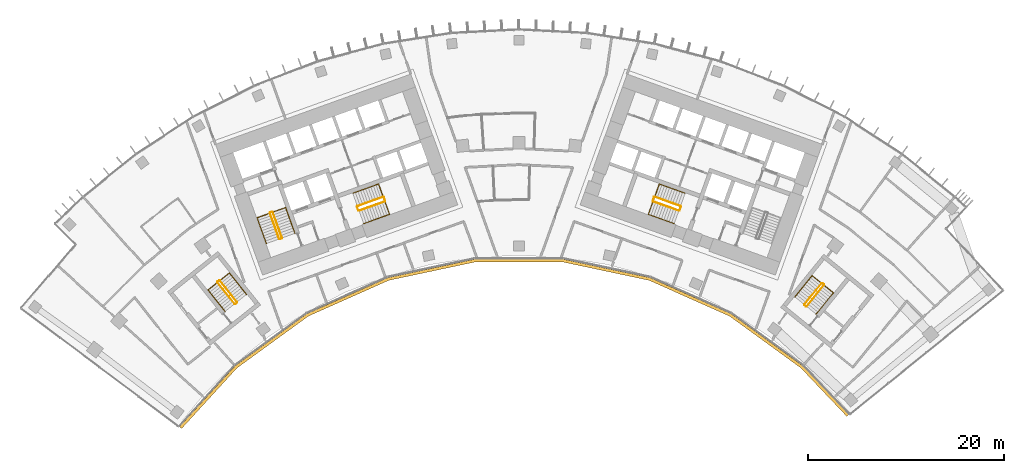
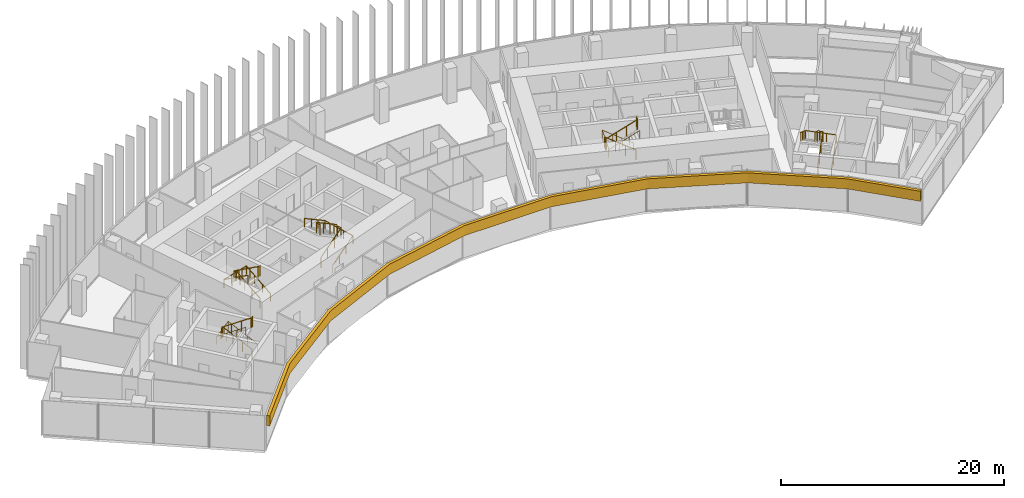
# One storey, part 22 of 23: 15 railings, 1 covering.
"""IFC4 building model written with IfcOpenShell, lengths in metres."""

from ifc_helpers import new_model, si_unit, direction, frame, origin, origin_2d, place, context, subcontext, project, spatial, polyline, circle, outline, extrude, material, layer, layer_set, type_object, element, save


model = new_model("IFC4")

# Units and contexts
model_context = context("Model", 3, precision=1e-05, world=origin(), true_north=direction((0.0, 1.0)))
body_context = subcontext(model_context, "Body", "Model", "MODEL_VIEW")
ifc_project = project(units=[si_unit("LENGTHUNIT", "METRE"), si_unit("AREAUNIT", "SQUARE_METRE"), si_unit("VOLUMEUNIT", "CUBIC_METRE"), si_unit("PLANEANGLEUNIT", "RADIAN"), si_unit("MASSUNIT", "GRAM", prefix="KILO")], contexts=[model_context])

# Site, building, storey
site_placement = place(None, origin())
site = spatial("IfcSite", under=ifc_project, at=site_placement, CompositionType="ELEMENT")
building_placement = place(site_placement, origin())
building = spatial("IfcBuilding", under=site, at=building_placement, Name="Stone Belt Terrace Tower", CompositionType="ELEMENT")
storey_placement = place(building_placement, frame((0.0, 0.0, 166.800048828125)))
storey = spatial("IfcBuildingStorey", under=building, at=storey_placement, Name="L40", CompositionType="ELEMENT", Elevation=166.800048828125)

# Railings
ifc_material_1 = material(Name="Structural steel C345", Category="steel")
railing_type_1 = type_object("IfcRailingType", Name="Stair guard 1100", PredefinedType="GUARDRAIL", material=ifc_material_1)
railing_1_placement = place(storey_placement, frame((-24.2119140625, 45.276123046875, 0.172607421875)))
element("IfcRailing", 1, at=railing_1_placement, inside=storey, type_object=railing_type_1, Name="L40 ST1A stair guard 1", PredefinedType="GUARDRAIL", context=body_context, shape_type="SweptSolid", body=[
    extrude(circle(Radius=0.02392578125, at=origin_2d()), frame((0.0, 0.0, 1.076171875), z_axis=(-0.288228637646, 0.800791768495, 0.525030280985), x_axis=(-0.940908529223, -0.338660803216, 0.0)), (0.0, 0.0, 1.0), 3.289794921875),
    extrude(circle(Radius=0.02392578125, at=origin_2d()), frame((-0.9482421875, 2.634521484375, 2.80322265625), z_axis=(-0.905209821074, 0.424964916, 0.0), x_axis=(-0.424964916, -0.905209821074, 0.0)), (0.0, 0.0, 1.0), 0.070556640625),
    extrude(circle(Radius=0.02392578125, at=origin_2d()), frame((-1.01220703125, 2.66455078125, 2.80322265625), z_axis=(-0.941105063269, -0.338114270461, 0.0), x_axis=(0.338114270461, -0.941105063269, 0.0)), (0.0, 0.0, 1.0), 0.199951171875),
    extrude(circle(Radius=0.02099609375, at=origin_2d()), origin(), (0.0, 0.0, 1.0), 1.052001953125),
    extrude(circle(Radius=0.02099609375, at=origin_2d()), frame((-0.316162109375, 0.878173828125, 0.57568359375)), (0.0, 0.0, 1.0), 1.052001953125),
    extrude(circle(Radius=0.02099609375, at=origin_2d()), frame((-0.632080078125, 1.75634765625, 1.151611328125)), (0.0, 0.0, 1.0), 1.052001953125),
    extrude(circle(Radius=0.02099609375, at=origin_2d()), frame((-0.9482421875, 2.634521484375, 1.727294921875)), (0.0, 0.0, 1.0), 1.052001953125),
    extrude(circle(Radius=0.02099609375, at=origin_2d()), frame((-1.01220703125, 2.66455078125, 1.727294921875)), (0.0, 0.0, 1.0), 1.052001953125),
    extrude(circle(Radius=0.02099609375, at=origin_2d()), frame((-1.200439453125, 2.596923828125, 1.727294921875)), (0.0, 0.0, 1.0), 1.052001953125),
])
railing_2_placement = place(storey_placement, frame((-25.4423828125, 47.80908203125, 2.07275390625)))
element("IfcRailing", 2, at=railing_2_placement, inside=storey, type_object=railing_type_1, Name="L40 ST1A stair guard 2", PredefinedType="GUARDRAIL", context=body_context, shape_type="SweptSolid", body=[
    extrude(circle(Radius=0.02392578125, at=origin_2d()), frame((0.0, 0.0, 1.076171875), z_axis=(0.288228637646, -0.800791768495, 0.525030280985), x_axis=(0.940908529223, 0.338660803216, 0.0)), (0.0, 0.0, 1.0), 3.289794921875),
    extrude(circle(Radius=0.02392578125, at=origin_2d()), frame((0.9482421875, -2.634521484375, 2.80322265625), z_axis=(0.903878284585, -0.427789722475, 0.0), x_axis=(0.427789722475, 0.903878284585, 0.0)), (0.0, 0.0, 1.0), 0.07080078125),
    extrude(circle(Radius=0.02392578125, at=origin_2d()), frame((1.01220703125, -2.664794921875, 2.80322265625), z_axis=(0.940575576748, 0.339584429008, 0.0), x_axis=(-0.339584429008, 0.940575576748, 0.0)), (0.0, 0.0, 1.0), 0.199951171875),
    extrude(circle(Radius=0.02099609375, at=origin_2d()), origin(), (0.0, 0.0, 1.0), 1.052001953125),
    extrude(circle(Radius=0.02099609375, at=origin_2d()), frame((0.316162109375, -0.878173828125, 0.57568359375)), (0.0, 0.0, 1.0), 1.052001953125),
    extrude(circle(Radius=0.02099609375, at=origin_2d()), frame((0.632080078125, -1.75634765625, 1.151611328125)), (0.0, 0.0, 1.0), 1.052001953125),
    extrude(circle(Radius=0.02099609375, at=origin_2d()), frame((0.9482421875, -2.634521484375, 1.727294921875)), (0.0, 0.0, 1.0), 1.052001953125),
    extrude(circle(Radius=0.02099609375, at=origin_2d()), frame((1.01220703125, -2.664794921875, 1.727294921875)), (0.0, 0.0, 1.0), 1.052001953125),
    extrude(circle(Radius=0.02099609375, at=origin_2d()), frame((1.2001953125, -2.596923828125, 1.727294921875)), (0.0, 0.0, 1.0), 1.052001953125),
])
railing_3_placement = place(storey_placement, frame((-16.33837890625, 48.056640625, 0.172607421875)))
element("IfcRailing", 3, at=railing_3_placement, inside=storey, type_object=railing_type_1, Name="L40 ST2A stair guard 1", PredefinedType="GUARDRAIL", context=body_context, shape_type="SweptSolid", body=[
    extrude(circle(Radius=0.02392578125, at=origin_2d()), frame((0.0, 0.0, 1.076171875), z_axis=(0.800808895155, 0.288160591223, 0.52504150989), x_axis=(-0.338583606334, 0.940936311087, 0.0)), (0.0, 0.0, 1.0), 3.289794921875),
    extrude(circle(Radius=0.02392578125, at=origin_2d()), frame((2.634521484375, 0.947998046875, 2.80322265625), z_axis=(0.427789722475, 0.903878284585, 0.0), x_axis=(-0.903878284585, 0.427789722475, 0.0)), (0.0, 0.0, 1.0), 0.07080078125),
    extrude(circle(Radius=0.02392578125, at=origin_2d()), frame((2.664794921875, 1.011962890625, 2.80322265625), z_axis=(-0.338654645739, 0.940910745459, 0.0), x_axis=(-0.940910745459, -0.338654645739, 0.0)), (0.0, 0.0, 1.0), 0.400146484375),
    extrude(circle(Radius=0.02099609375, at=origin_2d()), origin(), (0.0, 0.0, 1.0), 1.052001953125),
    extrude(circle(Radius=0.02099609375, at=origin_2d()), frame((0.878173828125, 0.31591796875, 0.57568359375)), (0.0, 0.0, 1.0), 1.052001953125),
    extrude(circle(Radius=0.02099609375, at=origin_2d()), frame((1.75634765625, 0.632080078125, 1.151611328125)), (0.0, 0.0, 1.0), 1.052001953125),
    extrude(circle(Radius=0.02099609375, at=origin_2d()), frame((2.634521484375, 0.947998046875, 1.727294921875)), (0.0, 0.0, 1.0), 1.052001953125),
    extrude(circle(Radius=0.02099609375, at=origin_2d()), frame((2.664794921875, 1.011962890625, 1.727294921875)), (0.0, 0.0, 1.0), 1.052001953125),
    extrude(circle(Radius=0.02099609375, at=origin_2d()), frame((2.529296875, 1.388427734375, 1.727294921875)), (0.0, 0.0, 1.0), 1.052001953125),
])
railing_4_placement = place(storey_placement, frame((-13.873046875, 49.47509765625, 2.07275390625)))
element("IfcRailing", 4, at=railing_4_placement, inside=storey, type_object=railing_type_1, Name="L40 ST2A stair guard 2", PredefinedType="GUARDRAIL", context=body_context, shape_type="SweptSolid", body=[
    extrude(circle(Radius=0.02392578125, at=origin_2d()), frame((0.0, 0.0, 1.076171875), z_axis=(-0.800808895155, -0.288160591223, 0.52504150989), x_axis=(0.338583606334, -0.940936311087, 0.0)), (0.0, 0.0, 1.0), 3.289794921875),
    extrude(circle(Radius=0.02392578125, at=origin_2d()), frame((-2.634521484375, -0.947998046875, 2.80322265625), z_axis=(-0.427789722475, -0.903878284585, 0.0), x_axis=(0.903878284585, -0.427789722475, 0.0)), (0.0, 0.0, 1.0), 0.07080078125),
    extrude(circle(Radius=0.02392578125, at=origin_2d()), frame((-2.664794921875, -1.011962890625, 2.80322265625), z_axis=(0.338654645739, -0.940910745459, 0.0), x_axis=(0.940910745459, 0.338654645739, 0.0)), (0.0, 0.0, 1.0), 0.400146484375),
    extrude(circle(Radius=0.02099609375, at=origin_2d()), origin(), (0.0, 0.0, 1.0), 1.052001953125),
    extrude(circle(Radius=0.02099609375, at=origin_2d()), frame((-0.878173828125, -0.31591796875, 0.57568359375)), (0.0, 0.0, 1.0), 1.052001953125),
    extrude(circle(Radius=0.02099609375, at=origin_2d()), frame((-1.75634765625, -0.632080078125, 1.151611328125)), (0.0, 0.0, 1.0), 1.052001953125),
    extrude(circle(Radius=0.02099609375, at=origin_2d()), frame((-2.634521484375, -0.947998046875, 1.727294921875)), (0.0, 0.0, 1.0), 1.052001953125),
    extrude(circle(Radius=0.02099609375, at=origin_2d()), frame((-2.664794921875, -1.011962890625, 1.727294921875)), (0.0, 0.0, 1.0), 1.052001953125),
    extrude(circle(Radius=0.02099609375, at=origin_2d()), frame((-2.529296875, -1.388427734375, 1.727294921875)), (0.0, 0.0, 1.0), 1.052001953125),
])
railing_5_placement = place(storey_placement, frame((16.507568359375, 48.527099609375, 0.172607421875)))
element("IfcRailing", 5, at=railing_5_placement, inside=storey, type_object=railing_type_1, Name="L40 ST2B stair guard 1", PredefinedType="GUARDRAIL", context=body_context, shape_type="SweptSolid", body=[
    extrude(circle(Radius=0.02392578125, at=origin_2d()), frame((0.0, 0.0, 1.076171875), z_axis=(-0.800808895155, 0.288160591223, 0.52504150989), x_axis=(-0.338583606334, -0.940936311087, 0.0)), (0.0, 0.0, 1.0), 3.289794921875),
    extrude(circle(Radius=0.02392578125, at=origin_2d()), frame((-2.634521484375, 0.947998046875, 2.80322265625), z_axis=(-0.905209821074, -0.424964916, 0.0), x_axis=(0.424964916, -0.905209821074, 0.0)), (0.0, 0.0, 1.0), 0.070556640625),
    extrude(circle(Radius=0.02392578125, at=origin_2d()), frame((-2.698486328125, 0.91796875, 2.80322265625), z_axis=(-0.338654645739, -0.940910745459, 0.0), x_axis=(0.940910745459, -0.338654645739, 0.0)), (0.0, 0.0, 1.0), 0.400146484375),
    extrude(circle(Radius=0.02099609375, at=origin_2d()), origin(), (0.0, 0.0, 1.0), 1.052001953125),
    extrude(circle(Radius=0.02099609375, at=origin_2d()), frame((-0.878173828125, 0.31591796875, 0.57568359375)), (0.0, 0.0, 1.0), 1.052001953125),
    extrude(circle(Radius=0.02099609375, at=origin_2d()), frame((-1.75634765625, 0.632080078125, 1.151611328125)), (0.0, 0.0, 1.0), 1.052001953125),
    extrude(circle(Radius=0.02099609375, at=origin_2d()), frame((-2.634521484375, 0.947998046875, 1.727294921875)), (0.0, 0.0, 1.0), 1.052001953125),
    extrude(circle(Radius=0.02099609375, at=origin_2d()), frame((-2.698486328125, 0.91796875, 1.727294921875)), (0.0, 0.0, 1.0), 1.052001953125),
    extrude(circle(Radius=0.02099609375, at=origin_2d()), frame((-2.833984375, 0.54150390625, 1.727294921875)), (0.0, 0.0, 1.0), 1.052001953125),
])
railing_6_placement = place(storey_placement, frame((13.703857421875, 49.004638671875, 2.07275390625)))
element("IfcRailing", 6, at=railing_6_placement, inside=storey, type_object=railing_type_1, Name="L40 ST2B stair guard 2", PredefinedType="GUARDRAIL", context=body_context, shape_type="SweptSolid", body=[
    extrude(circle(Radius=0.02392578125, at=origin_2d()), frame((0.0, 0.0, 1.076171875), z_axis=(0.800808895155, -0.288160591223, 0.52504150989), x_axis=(0.338583606334, 0.940936311087, 0.0)), (0.0, 0.0, 1.0), 3.289794921875),
    extrude(circle(Radius=0.02392578125, at=origin_2d()), frame((2.634521484375, -0.947998046875, 2.80322265625), z_axis=(0.905209821074, 0.424964916, 0.0), x_axis=(-0.424964916, 0.905209821074, 0.0)), (0.0, 0.0, 1.0), 0.070556640625),
    extrude(circle(Radius=0.02392578125, at=origin_2d()), frame((2.698486328125, -0.91796875, 2.80322265625), z_axis=(0.338654645739, 0.940910745459, 0.0), x_axis=(-0.940910745459, 0.338654645739, 0.0)), (0.0, 0.0, 1.0), 0.400146484375),
    extrude(circle(Radius=0.02099609375, at=origin_2d()), origin(), (0.0, 0.0, 1.0), 1.052001953125),
    extrude(circle(Radius=0.02099609375, at=origin_2d()), frame((0.878173828125, -0.31591796875, 0.57568359375)), (0.0, 0.0, 1.0), 1.052001953125),
    extrude(circle(Radius=0.02099609375, at=origin_2d()), frame((1.75634765625, -0.632080078125, 1.151611328125)), (0.0, 0.0, 1.0), 1.052001953125),
    extrude(circle(Radius=0.02099609375, at=origin_2d()), frame((2.634521484375, -0.947998046875, 1.727294921875)), (0.0, 0.0, 1.0), 1.052001953125),
    extrude(circle(Radius=0.02099609375, at=origin_2d()), frame((2.698486328125, -0.91796875, 1.727294921875)), (0.0, 0.0, 1.0), 1.052001953125),
    extrude(circle(Radius=0.02099609375, at=origin_2d()), frame((2.833984375, -0.54150390625, 1.727294921875)), (0.0, 0.0, 1.0), 1.052001953125),
])
railing_7_placement = place(storey_placement, frame((-28.814208984375, 38.734619140625, 0.172607421875)))
element("IfcRailing", 7, at=railing_7_placement, inside=storey, type_object=railing_type_1, Name="L40 ST3A stair guard 1", PredefinedType="GUARDRAIL", context=body_context, shape_type="SweptSolid", body=[
    extrude(circle(Radius=0.02392578125, at=origin_2d()), frame((0.0, 0.0, 1.076171875), z_axis=(-0.530306321799, 0.665665785969, 0.525037395288), x_axis=(-0.782143211408, -0.623098705543, 0.0)), (0.0, 0.0, 1.0), 3.289794921875),
    extrude(circle(Radius=0.02392578125, at=origin_2d()), frame((-1.74462890625, 2.18994140625, 2.80322265625), z_axis=(-0.993883734674, 0.110431526075, 0.0), x_axis=(-0.110431526075, -0.993883734674, 0.0)), (0.0, 0.0, 1.0), 0.07080078125),
    extrude(circle(Radius=0.02392578125, at=origin_2d()), frame((-1.81494140625, 2.19775390625, 2.80322265625), z_axis=(-0.782533463299, -0.622608527742, 0.0), x_axis=(0.622608527742, -0.782533463299, 0.0)), (0.0, 0.0, 1.0), 0.199951171875),
    extrude(circle(Radius=0.02099609375, at=origin_2d()), origin(), (0.0, 0.0, 1.0), 1.052001953125),
    extrude(circle(Radius=0.02099609375, at=origin_2d()), frame((-0.58154296875, 0.72998046875, 0.57568359375)), (0.0, 0.0, 1.0), 1.052001953125),
    extrude(circle(Radius=0.02099609375, at=origin_2d()), frame((-1.1630859375, 1.4599609375, 1.151611328125)), (0.0, 0.0, 1.0), 1.052001953125),
    extrude(circle(Radius=0.02099609375, at=origin_2d()), frame((-1.74462890625, 2.18994140625, 1.727294921875)), (0.0, 0.0, 1.0), 1.052001953125),
    extrude(circle(Radius=0.02099609375, at=origin_2d()), frame((-1.81494140625, 2.19775390625, 1.727294921875)), (0.0, 0.0, 1.0), 1.052001953125),
    extrude(circle(Radius=0.02099609375, at=origin_2d()), frame((-1.971435546875, 2.0732421875, 1.727294921875)), (0.0, 0.0, 1.0), 1.052001953125),
])
railing_8_placement = place(storey_placement, frame((-30.793701171875, 40.737548828125, 2.07275390625)))
element("IfcRailing", 8, at=railing_8_placement, inside=storey, type_object=railing_type_1, Name="L40 ST3A stair guard 2", PredefinedType="GUARDRAIL", context=body_context, shape_type="SweptSolid", body=[
    extrude(circle(Radius=0.02392578125, at=origin_2d()), frame((0.0, 0.0, 1.076171875), z_axis=(0.530359659125, -0.665639588968, 0.525016732659), x_axis=(0.782100716982, 0.62315204284, 0.0)), (0.0, 0.0, 1.0), 3.2900390625),
    extrude(circle(Radius=0.02392578125, at=origin_2d()), frame((1.744873046875, -2.18994140625, 2.80322265625), z_axis=(0.993499272973, -0.113838458361, 0.0), x_axis=(0.113838458361, 0.993499272973, 0.0)), (0.0, 0.0, 1.0), 0.07080078125),
    extrude(circle(Radius=0.02392578125, at=origin_2d()), frame((1.815185546875, -2.197998046875, 2.80322265625), z_axis=(0.781464082609, 0.623950228458, 0.0), x_axis=(-0.623950228458, 0.781464082609, 0.0)), (0.0, 0.0, 1.0), 0.199951171875),
    extrude(circle(Radius=0.02099609375, at=origin_2d()), origin(), (0.0, 0.0, 1.0), 1.052001953125),
    extrude(circle(Radius=0.02099609375, at=origin_2d()), frame((0.58154296875, -0.72998046875, 0.57568359375)), (0.0, 0.0, 1.0), 1.052001953125),
    extrude(circle(Radius=0.02099609375, at=origin_2d()), frame((1.163330078125, -1.4599609375, 1.151611328125)), (0.0, 0.0, 1.0), 1.052001953125),
    extrude(circle(Radius=0.02099609375, at=origin_2d()), frame((1.744873046875, -2.18994140625, 1.727294921875)), (0.0, 0.0, 1.0), 1.052001953125),
    extrude(circle(Radius=0.02099609375, at=origin_2d()), frame((1.815185546875, -2.197998046875, 1.727294921875)), (0.0, 0.0, 1.0), 1.052001953125),
    extrude(circle(Radius=0.02099609375, at=origin_2d()), frame((1.971435546875, -2.0732421875, 1.727294921875)), (0.0, 0.0, 1.0), 1.052001953125),
])
railing_9_placement = place(storey_placement, frame((29.39794921875, 38.281982421875, 0.172607421875)))
element("IfcRailing", 9, at=railing_9_placement, inside=storey, type_object=railing_type_1, Name="L40 ST3B stair guard 1", PredefinedType="GUARDRAIL", context=body_context, shape_type="SweptSolid", body=[
    extrude(circle(Radius=0.02392578125, at=origin_2d()), frame((0.0, 0.0, 1.076171875), z_axis=(0.536393061503, 0.660769759217, 0.525038864158), x_axis=(-0.776391310223, 0.630251166924, 0.0)), (0.0, 0.0, 1.0), 3.289794921875),
    extrude(circle(Radius=0.02392578125, at=origin_2d()), frame((1.7646484375, 2.173828125, 2.80322265625), z_axis=(-0.103251414163, 0.994655289773, 0.0), x_axis=(-0.994655289773, -0.103251414163, 0.0)), (0.0, 0.0, 1.0), 0.071044921875),
    extrude(circle(Radius=0.02392578125, at=origin_2d()), frame((1.75732421875, 2.244384765625, 2.80322265625), z_axis=(-0.776561986372, 0.630040856868, 0.0), x_axis=(-0.630040856868, -0.776561986372, 0.0)), (0.0, 0.0, 1.0), 0.199951171875),
    extrude(circle(Radius=0.02099609375, at=origin_2d()), origin(), (0.0, 0.0, 1.0), 1.052001953125),
    extrude(circle(Radius=0.02099609375, at=origin_2d()), frame((0.588134765625, 0.724609375, 0.57568359375)), (0.0, 0.0, 1.0), 1.052001953125),
    extrude(circle(Radius=0.02099609375, at=origin_2d()), frame((1.176513671875, 1.44921875, 1.151611328125)), (0.0, 0.0, 1.0), 1.052001953125),
    extrude(circle(Radius=0.02099609375, at=origin_2d()), frame((1.7646484375, 2.173828125, 1.727294921875)), (0.0, 0.0, 1.0), 1.052001953125),
    extrude(circle(Radius=0.02099609375, at=origin_2d()), frame((1.75732421875, 2.244384765625, 1.727294921875)), (0.0, 0.0, 1.0), 1.052001953125),
    extrude(circle(Radius=0.02099609375, at=origin_2d()), frame((1.60205078125, 2.370361328125, 1.727294921875)), (0.0, 0.0, 1.0), 1.052001953125),
])
railing_10_placement = place(storey_placement, frame((30.9296875, 40.64501953125, 2.07275390625)))
element("IfcRailing", 10, at=railing_10_placement, inside=storey, type_object=railing_type_1, Name="L40 ST3B stair guard 2", PredefinedType="GUARDRAIL", context=body_context, shape_type="SweptSolid", body=[
    extrude(circle(Radius=0.02392578125, at=origin_2d()), frame((0.0, 0.0, 1.076171875), z_axis=(-0.536366759382, -0.660811565066, 0.525013118792), x_axis=(0.776425942316, -0.630208502084, 0.0)), (0.0, 0.0, 1.0), 3.2900390625),
    extrude(circle(Radius=0.02392578125, at=origin_2d()), frame((-1.7646484375, -2.174072265625, 2.80322265625), z_axis=(0.103606084259, -0.994618408891, 0.0), x_axis=(0.994618408891, 0.103606084259, 0.0)), (0.0, 0.0, 1.0), 0.07080078125),
    extrude(circle(Radius=0.02392578125, at=origin_2d()), frame((-1.75732421875, -2.244384765625, 2.80322265625), z_axis=(0.776561986372, -0.630040856868, 0.0), x_axis=(0.630040856868, 0.776561986372, 0.0)), (0.0, 0.0, 1.0), 0.199951171875),
    extrude(circle(Radius=0.02099609375, at=origin_2d()), origin(), (0.0, 0.0, 1.0), 1.052001953125),
    extrude(circle(Radius=0.02099609375, at=origin_2d()), frame((-0.588134765625, -0.724609375, 0.57568359375)), (0.0, 0.0, 1.0), 1.052001953125),
    extrude(circle(Radius=0.02099609375, at=origin_2d()), frame((-1.176513671875, -1.449462890625, 1.151611328125)), (0.0, 0.0, 1.0), 1.052001953125),
    extrude(circle(Radius=0.02099609375, at=origin_2d()), frame((-1.7646484375, -2.174072265625, 1.727294921875)), (0.0, 0.0, 1.0), 1.052001953125),
    extrude(circle(Radius=0.02099609375, at=origin_2d()), frame((-1.75732421875, -2.244384765625, 1.727294921875)), (0.0, 0.0, 1.0), 1.052001953125),
    extrude(circle(Radius=0.02099609375, at=origin_2d()), frame((-1.60205078125, -2.370361328125, 1.727294921875)), (0.0, 0.0, 1.0), 1.052001953125),
])
railing_type_2 = type_object("IfcRailingType", Name="Stair handrail 900", PredefinedType="HANDRAIL", material=ifc_material_1)
railing_11_placement = place(storey_placement, frame((-22.894775390625, 45.750244140625, 0.172607421875)))
element("IfcRailing", 11, at=railing_11_placement, inside=storey, type_object=railing_type_2, Name="L40 ST1A stair handrail 1", PredefinedType="HANDRAIL", context=body_context, shape_type="SweptSolid", body=[
    extrude(circle(Radius=0.02392578125, at=origin_2d()), frame((0.0, 0.0, 0.8759765625), z_axis=(-0.288160591223, 0.800808895155, 0.52504150989), x_axis=(-0.940936311087, -0.338583606334, 0.0)), (0.0, 0.0, 1.0), 3.289794921875),
    extrude(circle(Radius=0.02392578125, at=origin_2d()), frame((-0.947998046875, 2.634521484375, 2.60302734375), z_axis=(-0.939460408074, -0.338105101667, 0.055669398135), x_axis=(0.338630230244, -0.940919532779, 0.0)), (0.0, 0.0, 1.0), 3.10498046875),
    extrude(circle(Radius=0.02392578125, at=origin_2d()), frame((-3.864990234375, 1.584716796875, 2.77587890625), z_axis=(0.288228637646, -0.800791768495, 0.525030280985), x_axis=(0.940908529223, 0.338660803216, 0.0)), (0.0, 0.0, 1.0), 3.289794921875),
    extrude(circle(Radius=0.02099609375, at=origin_2d()), origin(), (0.0, 0.0, 1.0), 0.851806640625),
    extrude(circle(Radius=0.02099609375, at=origin_2d()), frame((-0.31591796875, 0.878173828125, 0.57568359375)), (0.0, 0.0, 1.0), 0.851806640625),
    extrude(circle(Radius=0.02099609375, at=origin_2d()), frame((-0.632080078125, 1.75634765625, 1.151611328125)), (0.0, 0.0, 1.0), 0.851806640625),
    extrude(circle(Radius=0.02099609375, at=origin_2d()), frame((-0.947998046875, 2.634521484375, 1.727294921875)), (0.0, 0.0, 1.0), 0.851806640625),
    extrude(circle(Radius=0.02099609375, at=origin_2d()), frame((-1.92041015625, 2.28466796875, 1.784912109375)), (0.0, 0.0, 1.0), 0.851806640625),
    extrude(circle(Radius=0.02099609375, at=origin_2d()), frame((-2.892578125, 1.9345703125, 1.842529296875)), (0.0, 0.0, 1.0), 0.851806640625),
    extrude(circle(Radius=0.02099609375, at=origin_2d()), frame((-3.864990234375, 1.584716796875, 1.900146484375)), (0.0, 0.0, 1.0), 0.851806640625),
    extrude(circle(Radius=0.02099609375, at=origin_2d()), frame((-3.548828125, 0.70654296875, 2.475830078125)), (0.0, 0.0, 1.0), 0.851806640625),
    extrude(circle(Radius=0.02099609375, at=origin_2d()), frame((-3.23291015625, -0.171630859375, 3.0517578125)), (0.0, 0.0, 1.0), 0.851806640625),
    extrude(circle(Radius=0.02099609375, at=origin_2d()), frame((-2.916748046875, -1.0498046875, 3.62744140625)), (0.0, 0.0, 1.0), 0.851806640625),
])
railing_12_placement = place(storey_placement, frame((-15.8642578125, 46.7392578125, 0.172607421875)))
element("IfcRailing", 12, at=railing_12_placement, inside=storey, type_object=railing_type_2, Name="L40 ST2A stair handrail 1", PredefinedType="HANDRAIL", context=body_context, shape_type="SweptSolid", body=[
    extrude(circle(Radius=0.02392578125, at=origin_2d()), frame((0.0, 0.0, 0.8759765625), z_axis=(0.800791768495, 0.288228637646, 0.525030280985), x_axis=(-0.338660803216, 0.940908529223, 0.0)), (0.0, 0.0, 1.0), 3.289794921875),
    extrude(circle(Radius=0.02392578125, at=origin_2d()), frame((2.634521484375, 0.9482421875, 2.60302734375), z_axis=(-0.338158948057, 0.939634149308, 0.052308615955), x_axis=(-0.940922302781, -0.338622533404, 0.0)), (0.0, 0.0, 1.0), 3.304443359375),
    extrude(circle(Radius=0.02392578125, at=origin_2d()), frame((1.51708984375, 4.05322265625, 2.77587890625), z_axis=(-0.800791768495, -0.288228637646, 0.525030280985), x_axis=(0.338660803216, -0.940908529223, 0.0)), (0.0, 0.0, 1.0), 3.289794921875),
    extrude(circle(Radius=0.02099609375, at=origin_2d()), origin(), (0.0, 0.0, 1.0), 0.851806640625),
    extrude(circle(Radius=0.02099609375, at=origin_2d()), frame((0.878173828125, 0.316162109375, 0.57568359375)), (0.0, 0.0, 1.0), 0.851806640625),
    extrude(circle(Radius=0.02099609375, at=origin_2d()), frame((1.75634765625, 0.632080078125, 1.151611328125)), (0.0, 0.0, 1.0), 0.851806640625),
    extrude(circle(Radius=0.02099609375, at=origin_2d()), frame((2.634521484375, 0.9482421875, 1.727294921875)), (0.0, 0.0, 1.0), 0.851806640625),
    extrude(circle(Radius=0.02099609375, at=origin_2d()), frame((2.261962890625, 1.983154296875, 1.784912109375)), (0.0, 0.0, 1.0), 0.851806640625),
    extrude(circle(Radius=0.02099609375, at=origin_2d()), frame((1.8896484375, 3.018310546875, 1.842529296875)), (0.0, 0.0, 1.0), 0.851806640625),
    extrude(circle(Radius=0.02099609375, at=origin_2d()), frame((1.51708984375, 4.05322265625, 1.900146484375)), (0.0, 0.0, 1.0), 0.851806640625),
    extrude(circle(Radius=0.02099609375, at=origin_2d()), frame((0.638916015625, 3.737060546875, 2.475830078125)), (0.0, 0.0, 1.0), 0.851806640625),
    extrude(circle(Radius=0.02099609375, at=origin_2d()), frame((-0.2392578125, 3.421142578125, 3.0517578125)), (0.0, 0.0, 1.0), 0.851806640625),
    extrude(circle(Radius=0.02099609375, at=origin_2d()), frame((-1.117431640625, 3.10498046875, 3.62744140625)), (0.0, 0.0, 1.0), 0.851806640625),
])
railing_13_placement = place(storey_placement, frame((16.981689453125, 49.84423828125, 0.172607421875)))
element("IfcRailing", 13, at=railing_13_placement, inside=storey, type_object=railing_type_2, Name="L40 ST2B stair handrail 1", PredefinedType="HANDRAIL", context=body_context, shape_type="SweptSolid", body=[
    extrude(circle(Radius=0.02392578125, at=origin_2d()), frame((0.0, 0.0, 0.8759765625), z_axis=(-0.800791768495, 0.288228637646, 0.525030280985), x_axis=(-0.338660803216, -0.940908529223, 0.0)), (0.0, 0.0, 1.0), 3.289794921875),
    extrude(circle(Radius=0.02392578125, at=origin_2d()), frame((-2.634521484375, 0.9482421875, 2.60302734375), z_axis=(-0.338158948057, -0.939634149308, 0.052308615955), x_axis=(0.940922302781, -0.338622533404, 0.0)), (0.0, 0.0, 1.0), 3.304443359375),
    extrude(circle(Radius=0.02392578125, at=origin_2d()), frame((-3.751953125, -2.15673828125, 2.77587890625), z_axis=(0.800791768495, -0.288228637646, 0.525030280985), x_axis=(0.338660803216, 0.940908529223, 0.0)), (0.0, 0.0, 1.0), 3.289794921875),
    extrude(circle(Radius=0.02099609375, at=origin_2d()), origin(), (0.0, 0.0, 1.0), 0.851806640625),
    extrude(circle(Radius=0.02099609375, at=origin_2d()), frame((-0.878173828125, 0.316162109375, 0.57568359375)), (0.0, 0.0, 1.0), 0.851806640625),
    extrude(circle(Radius=0.02099609375, at=origin_2d()), frame((-1.75634765625, 0.632080078125, 1.151611328125)), (0.0, 0.0, 1.0), 0.851806640625),
    extrude(circle(Radius=0.02099609375, at=origin_2d()), frame((-2.634521484375, 0.9482421875, 1.727294921875)), (0.0, 0.0, 1.0), 0.851806640625),
    extrude(circle(Radius=0.02099609375, at=origin_2d()), frame((-3.007080078125, -0.086669921875, 1.784912109375)), (0.0, 0.0, 1.0), 0.851806640625),
    extrude(circle(Radius=0.02099609375, at=origin_2d()), frame((-3.37939453125, -1.121826171875, 1.842529296875)), (0.0, 0.0, 1.0), 0.851806640625),
    extrude(circle(Radius=0.02099609375, at=origin_2d()), frame((-3.751953125, -2.15673828125, 1.900146484375)), (0.0, 0.0, 1.0), 0.851806640625),
    extrude(circle(Radius=0.02099609375, at=origin_2d()), frame((-2.873779296875, -2.472900390625, 2.475830078125)), (0.0, 0.0, 1.0), 0.851806640625),
    extrude(circle(Radius=0.02099609375, at=origin_2d()), frame((-1.99560546875, -2.788818359375, 3.0517578125)), (0.0, 0.0, 1.0), 0.851806640625),
    extrude(circle(Radius=0.02099609375, at=origin_2d()), frame((-1.117431640625, -3.10498046875, 3.62744140625)), (0.0, 0.0, 1.0), 0.851806640625),
])
railing_14_placement = place(storey_placement, frame((-27.836669921875, 39.513427734375, 0.172607421875)))
element("IfcRailing", 14, at=railing_14_placement, inside=storey, type_object=railing_type_2, Name="L40 ST3A stair handrail 1", PredefinedType="HANDRAIL", context=body_context, shape_type="SweptSolid", body=[
    extrude(circle(Radius=0.02392578125, at=origin_2d()), frame((0.0, 0.0, 0.8759765625), z_axis=(-0.530306321799, 0.665665785969, 0.525037395288), x_axis=(-0.782143211408, -0.623098705543, 0.0)), (0.0, 0.0, 1.0), 3.289794921875),
    extrude(circle(Radius=0.02392578125, at=origin_2d()), frame((-1.74462890625, 2.18994140625, 2.60302734375), z_axis=(-0.78065703189, -0.621914732429, 0.061617076765), x_axis=(0.623098705543, -0.782143211408, 0.0)), (0.0, 0.0, 1.0), 2.80517578125),
    extrude(circle(Radius=0.02392578125, at=origin_2d()), frame((-3.9345703125, 0.4453125, 2.77587890625), z_axis=(0.530306321799, -0.665665785969, 0.525037395288), x_axis=(0.782143211408, 0.623098705543, 0.0)), (0.0, 0.0, 1.0), 3.289794921875),
    extrude(circle(Radius=0.02099609375, at=origin_2d()), origin(), (0.0, 0.0, 1.0), 0.851806640625),
    extrude(circle(Radius=0.02099609375, at=origin_2d()), frame((-0.58154296875, 0.72998046875, 0.57568359375)), (0.0, 0.0, 1.0), 0.851806640625),
    extrude(circle(Radius=0.02099609375, at=origin_2d()), frame((-1.1630859375, 1.4599609375, 1.151611328125)), (0.0, 0.0, 1.0), 0.851806640625),
    extrude(circle(Radius=0.02099609375, at=origin_2d()), frame((-1.74462890625, 2.18994140625, 1.727294921875)), (0.0, 0.0, 1.0), 0.851806640625),
    extrude(circle(Radius=0.02099609375, at=origin_2d()), frame((-2.474609375, 1.6083984375, 1.784912109375)), (0.0, 0.0, 1.0), 0.851806640625),
    extrude(circle(Radius=0.02099609375, at=origin_2d()), frame((-3.20458984375, 1.02685546875, 1.842529296875)), (0.0, 0.0, 1.0), 0.851806640625),
    extrude(circle(Radius=0.02099609375, at=origin_2d()), frame((-3.9345703125, 0.4453125, 1.900146484375)), (0.0, 0.0, 1.0), 0.851806640625),
    extrude(circle(Radius=0.02099609375, at=origin_2d()), frame((-3.35302734375, -0.28466796875, 2.475830078125)), (0.0, 0.0, 1.0), 0.851806640625),
    extrude(circle(Radius=0.02099609375, at=origin_2d()), frame((-2.771484375, -1.0146484375, 3.0517578125)), (0.0, 0.0, 1.0), 0.851806640625),
    extrude(circle(Radius=0.02099609375, at=origin_2d()), frame((-2.18994140625, -1.74462890625, 3.62744140625)), (0.0, 0.0, 1.0), 0.851806640625),
])
railing_15_placement = place(storey_placement, frame((30.36865234375, 37.494140625, 0.172607421875)))
element("IfcRailing", 15, at=railing_15_placement, inside=storey, type_object=railing_type_2, Name="L40 ST3B stair handrail 1", PredefinedType="HANDRAIL", context=body_context, shape_type="SweptSolid", body=[
    extrude(circle(Radius=0.02392578125, at=origin_2d()), frame((0.0, 0.0, 0.8759765625), z_axis=(0.536366759382, 0.660811565066, 0.525013118792), x_axis=(-0.776425942316, 0.630208502084, 0.0)), (0.0, 0.0, 1.0), 3.2900390625),
    extrude(circle(Radius=0.02392578125, at=origin_2d()), frame((1.7646484375, 2.174072265625, 2.60302734375), z_axis=(-0.774950814199, 0.629011171817, 0.061613158501), x_axis=(-0.630208502084, -0.776425942316, 0.0)), (0.0, 0.0, 1.0), 2.805419921875),
    extrude(circle(Radius=0.02392578125, at=origin_2d()), frame((-0.409423828125, 3.938720703125, 2.77587890625), z_axis=(-0.536366759382, -0.660811565066, 0.525013118792), x_axis=(0.776425942316, -0.630208502084, 0.0)), (0.0, 0.0, 1.0), 3.2900390625),
    extrude(circle(Radius=0.02099609375, at=origin_2d()), origin(), (0.0, 0.0, 1.0), 0.851806640625),
    extrude(circle(Radius=0.02099609375, at=origin_2d()), frame((0.588134765625, 0.724609375, 0.57568359375)), (0.0, 0.0, 1.0), 0.851806640625),
    extrude(circle(Radius=0.02099609375, at=origin_2d()), frame((1.176513671875, 1.449462890625, 1.151611328125)), (0.0, 0.0, 1.0), 0.851806640625),
    extrude(circle(Radius=0.02099609375, at=origin_2d()), frame((1.7646484375, 2.174072265625, 1.727294921875)), (0.0, 0.0, 1.0), 0.851806640625),
    extrude(circle(Radius=0.02099609375, at=origin_2d()), frame((1.0400390625, 2.76220703125, 1.784912109375)), (0.0, 0.0, 1.0), 0.851806640625),
    extrude(circle(Radius=0.02099609375, at=origin_2d()), frame((0.315185546875, 3.3505859375, 1.842529296875)), (0.0, 0.0, 1.0), 0.851806640625),
    extrude(circle(Radius=0.02099609375, at=origin_2d()), frame((-0.409423828125, 3.938720703125, 1.900146484375)), (0.0, 0.0, 1.0), 0.851806640625),
    extrude(circle(Radius=0.02099609375, at=origin_2d()), frame((-0.99755859375, 3.214111328125, 2.475830078125)), (0.0, 0.0, 1.0), 0.851806640625),
    extrude(circle(Radius=0.02099609375, at=origin_2d()), frame((-1.5859375, 2.4892578125, 3.0517578125)), (0.0, 0.0, 1.0), 0.851806640625),
    extrude(circle(Radius=0.02099609375, at=origin_2d()), frame((-2.174072265625, 1.7646484375, 3.62744140625)), (0.0, 0.0, 1.0), 0.851806640625),
])

# Covering
ifc_material_2 = material(Name="Terracotta coloured glazed ceramic", Category="masonry")
ifc_layer = layer(ifc_material_2, 0.300048828125)
ifc_layer_set = layer_set([ifc_layer], Name="Terracotta spandrel band 300 x 1100")
covering_type = type_object("IfcCoveringType", Name="Terracotta spandrel band 300 x 1100", PredefinedType="CLADDING", material=ifc_layer_set)
covering_placement = place(storey_placement, frame((0.0, 0.0, 2.699951171875)))
element("IfcCovering", 16, at=covering_placement, inside=storey, type_object=covering_type, Name="BAND L40", PredefinedType="CLADDING", context=body_context, shape_type="SweptSolid", body=[
    extrude(outline(polyline([(-34.688720703125, 25.99951171875), (-29.0068359375, 32.21435546875), (-21.674560546875, 37.54150390625), (-13.395751953125, 41.2275390625), (-4.53125, 43.11181640625), (4.53125, 43.11181640625), (13.395751953125, 41.2275390625), (21.674560546875, 37.54150390625), (29.0078125, 32.213623046875), (33.71875, 27.245361328125), (33.5009765625, 27.0390625), (28.80908203125, 31.987060546875), (21.523681640625, 37.2802734375), (13.302490234375, 40.940673828125), (4.499755859375, 42.811767578125), (-4.499755859375, 42.811767578125), (-13.302490234375, 40.940673828125), (-21.523681640625, 37.2802734375), (-28.805908203125, 31.989501953125), (-34.46728515625, 25.797119140625), (-34.688720703125, 25.99951171875)])), origin(), (0.0, 0.0, 1.0), 1.10009765625),
])

save(model, "model.ifc")
